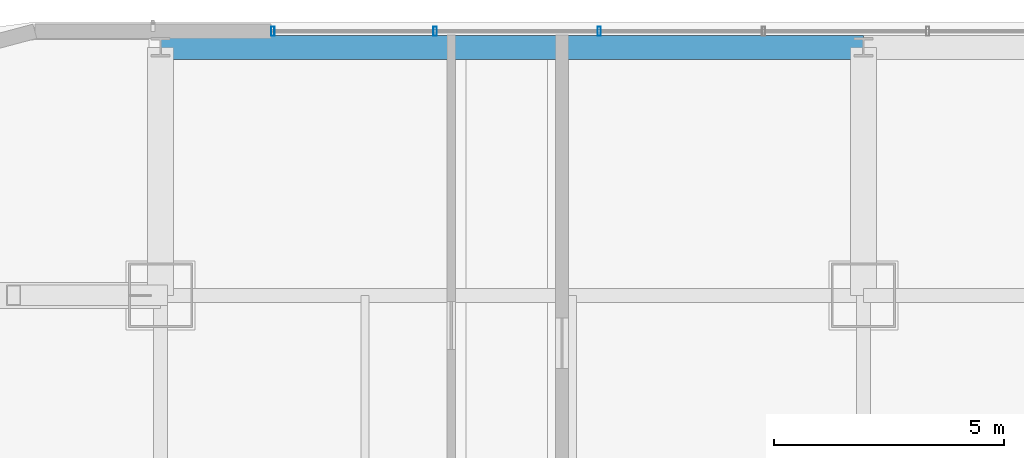
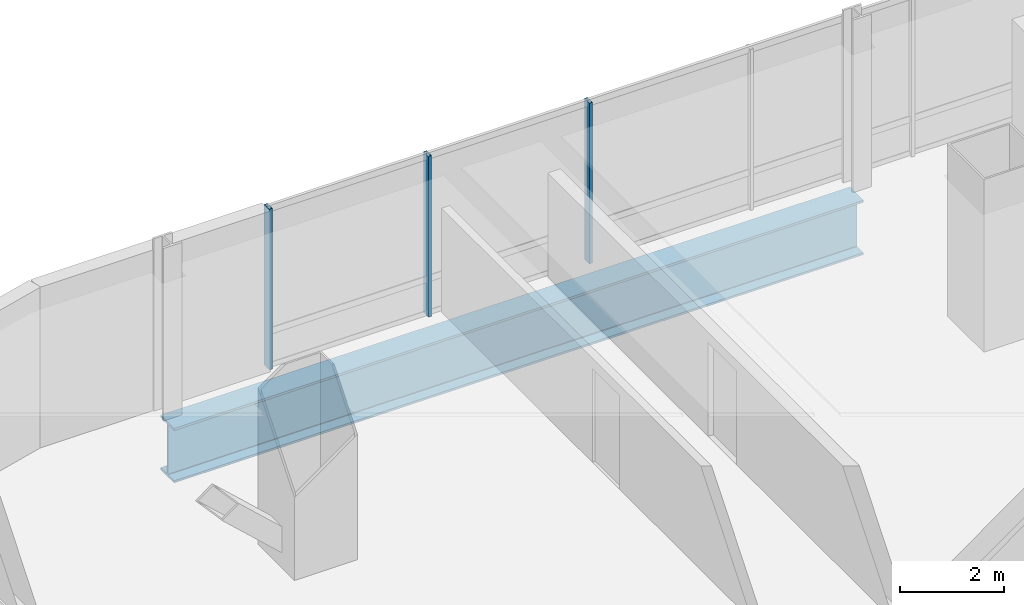
# One storey, part 22 of 47: 3 members, 1 beam, 1 element without a shape of its own.
"""IFC4 building model written with IfcOpenShell, lengths in metres."""

from ifc_helpers import new_model, si_unit, direction, frame, origin, origin_2d, place, context, subcontext, project, spatial, hollow_rectangle, i_section, extrude, material, material_profile, profile_set, type_object, element, aggregate, save


model = new_model("IFC4")

# Units and contexts
model_context = context("Model", 3, precision=1e-05, world=origin(), true_north=direction((0.0, 1.0)))
body_context = subcontext(model_context, "Body", "Model", "MODEL_VIEW")
ifc_project = project(units=[si_unit("LENGTHUNIT", "METRE"), si_unit("AREAUNIT", "SQUARE_METRE"), si_unit("VOLUMEUNIT", "CUBIC_METRE"), si_unit("PLANEANGLEUNIT", "RADIAN"), si_unit("MASSUNIT", "GRAM", prefix="KILO")], contexts=[model_context])

# Site, building, storey
site_placement = place(None, origin())
site = spatial("IfcSite", under=ifc_project, at=site_placement, CompositionType="ELEMENT")
building_placement = place(site_placement, origin())
building = spatial("IfcBuilding", under=site, at=building_placement, Name="Punatoya Terracotta Tower", CompositionType="ELEMENT")
storey_placement = place(building_placement, frame((0.0, 0.0, 168.14990234375)))
storey = spatial("IfcBuildingStorey", under=building, at=storey_placement, Name="L39", CompositionType="ELEMENT", Elevation=168.14990234375)

# Beam
ifc_material_1 = material(Name="Steel S460", Category="steel")
ifc_material_profile_1 = material_profile(ifc_material_1, i_section(OverallWidth=0.52001953125, OverallDepth=1.280029296875, WebThickness=0.031982421875, FlangeThickness=0.050048828125, FilletRadius=0.01806640625, at=origin_2d()))
ifc_profile_set_1 = profile_set([ifc_material_profile_1], Name="Steel S460")
beam_type = type_object("IfcBeamType", Name="BM-TG-NCK", PredefinedType="BEAM", material=ifc_profile_set_1)
beam_placement = place(storey_placement, frame((-19.10009765625, 22.89990234375, -0.85986328125), z_axis=(1.0, 0.0, 0.0), x_axis=(0.0, 1.0, 0.0)))
element("IfcBeam", 1, at=beam_placement, inside=storey, type_object=beam_type, Name="BM-L39-PER-N1", PredefinedType="BEAM", context=body_context, shape_type="SweptSolid", body=[
    extrude(i_section(OverallWidth=0.52001953125, OverallDepth=1.280029296875, WebThickness=0.031982421875, FlangeThickness=0.050048828125, FilletRadius=0.01806640625, at=origin_2d()), origin(), (0.0, 0.0, 1.0), 15.300048828125),
])

# Curtain wall, members
ifc_material_2 = material(Name="Aluminium 6063-T6 + Double Low-E Glass", Category="aluminium")
curtain_wall_type = type_object("IfcCurtainWallType", Name="CW-M2", PredefinedType="NOTDEFINED", material=ifc_material_2)
curtain_wall_placement = place(storey_placement, origin())
curtain_wall = element("IfcCurtainWall", 2, at=curtain_wall_placement, inside=storey, type_object=curtain_wall_type, Name="L39 Curtain Wall CW-L39-N09-1", PredefinedType="NOTDEFINED")
ifc_material_3 = material(Name="Aluminium 6063-T6", Category="aluminium")
ifc_material_profile_2 = material_profile(ifc_material_3, hollow_rectangle(XDim=0.072021484375, YDim=0.195068359375, WallThickness=0.00439453125, at=origin_2d()))
ifc_profile_set_2 = profile_set([ifc_material_profile_2], Name="Aluminium 6063-T6")
member_type = type_object("IfcMemberType", Name="CW-MUL-M2", PredefinedType="MULLION", material=ifc_profile_set_2)
member_1_placement = place(storey_placement, frame((-9.550048828125, 23.25, 0.0), z_axis=(0.0, 0.0, 1.0), x_axis=(1.0, 0.0, 0.0)))
member_1 = element("IfcMember", 3, at=member_1_placement, type_object=member_type, Name="CW-L39-N09-1 Mullion 06", PredefinedType="MULLION", context=body_context, shape_type="SweptSolid", body=[
    extrude(hollow_rectangle(XDim=0.072021484375, YDim=0.195068359375, WallThickness=0.00439453125, at=origin_2d()), origin(), (0.0, 0.0, 1.0), 3.77001953125),
])
member_2_placement = place(storey_placement, frame((-13.125, 23.25, 0.0), z_axis=(0.0, 0.0, 1.0), x_axis=(1.0, 0.0, 0.0)))
member_2 = element("IfcMember", 4, at=member_2_placement, type_object=member_type, Name="CW-L39-N09-1 Mullion 07", PredefinedType="MULLION", context=body_context, shape_type="SweptSolid", body=[
    extrude(hollow_rectangle(XDim=0.072021484375, YDim=0.195068359375, WallThickness=0.00439453125, at=origin_2d()), origin(), (0.0, 0.0, 1.0), 3.77001953125),
])
member_3_placement = place(storey_placement, frame((-16.655029296875, 23.25, 0.0), z_axis=(0.0, 0.0, 1.0), x_axis=(1.0, 0.0, 0.0)))
member_3 = element("IfcMember", 5, at=member_3_placement, type_object=member_type, Name="CW-L39-N09-1 Mullion 08", PredefinedType="MULLION", context=body_context, shape_type="SweptSolid", body=[
    extrude(hollow_rectangle(XDim=0.072021484375, YDim=0.195068359375, WallThickness=0.00439453125, at=origin_2d()), origin(), (0.0, 0.0, 1.0), 3.77001953125),
])
aggregate(curtain_wall, [member_1, member_2, member_3])

save(model, "model.ifc")
